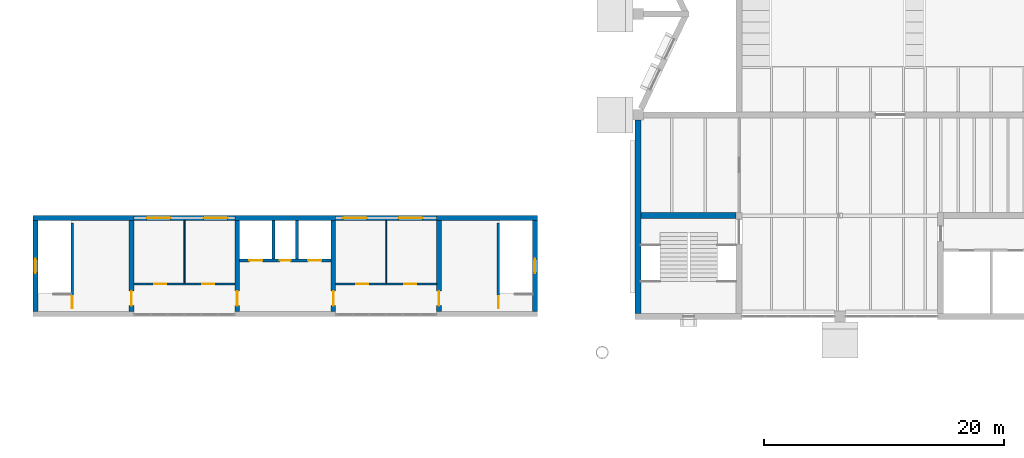
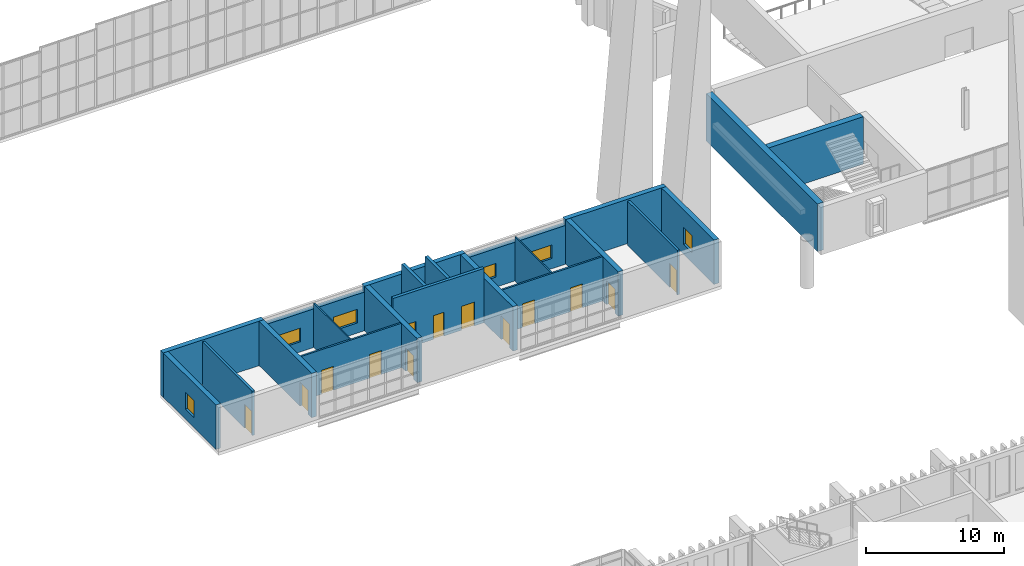
# One storey, part 69 of 100: 22 walls, 13 doors, 6 windows, 19 openings.
"""IFC4 building model written with IfcOpenShell, lengths in metres."""

from ifc_helpers import new_model, si_unit, direction, frame, frame_2d, origin, place, context, subcontext, project, spatial, rectangle, extrude, material, layer, layer_set, type_object, element, fill, save


model = new_model("IFC4")

# Units and contexts
model_context = context("Model", 3, precision=1e-05, world=origin(), true_north=direction((0.0, 1.0)))
body_context = subcontext(model_context, "Body", "Model", "MODEL_VIEW")
ifc_project = project(units=[si_unit("LENGTHUNIT", "METRE"), si_unit("AREAUNIT", "SQUARE_METRE"), si_unit("VOLUMEUNIT", "CUBIC_METRE"), si_unit("PLANEANGLEUNIT", "RADIAN"), si_unit("MASSUNIT", "GRAM", prefix="KILO")], contexts=[model_context])

# Site, building, storey
site_placement = place(None, origin())
site = spatial("IfcSite", under=ifc_project, at=site_placement, CompositionType="ELEMENT")
building_placement = place(site_placement, origin())
building = spatial("IfcBuilding", under=site, at=building_placement, Name="Cresset Court Congress Hotel", CompositionType="ELEMENT")
storey_placement = place(building_placement, frame((0.0, 0.0, 10.199951171875)))
storey = spatial("IfcBuildingStorey", under=building, at=storey_placement, Name="L02", CompositionType="ELEMENT", Elevation=10.199951171875)

# Wall, openings, doors
ifc_material_1 = material(Name="Gypsum board on steel studs", Category="steel")
ifc_layer_1 = layer(ifc_material_1, 0.14990234375)
ifc_layer_set_1 = layer_set([ifc_layer_1], Name="Fire partition 150")
wall_type_1 = type_object("IfcWallType", Name="Fire partition 150", PredefinedType="PARTITIONING", material=ifc_layer_set_1)
wall_1_placement = place(storey_placement, frame((16.800048828125, 61.5, 0.0), z_axis=(0.0, 0.0, 1.0), x_axis=(1.0, 0.0, 0.0)))
wall_1 = element("IfcWall", 1, at=wall_1_placement, inside=storey, type_object=wall_type_1, Name="Corridor wall W", PredefinedType="PARTITIONING", context=body_context, shape_type="SweptSolid", body=[
    extrude(rectangle(XDim=8.39990234375, YDim=0.14990234375, at=frame_2d((4.199951171875, 0.0))), origin(), (0.0, 0.0, 1.0), 3.920166015625),
])
opening_1_placement = place(wall_1_placement, frame((1.699951171875, 0.0, 0.0)))
opening_1 = element("IfcOpeningElement", 2, at=opening_1_placement, cuts=wall_1, Name="Opening DD-02-10", PredefinedType="OPENING", context=body_context, shape_type="SweptSolid", body=[
    extrude(rectangle(XDim=1.0, YDim=2.10009765625, at=frame_2d((0.5, 1.050048828125))), frame((0.0, 0.0849609375, 0.0), z_axis=(0.0, -1.0, 0.0), x_axis=(1.0, 0.0, 0.0)), (0.0, 0.0, 1.0), 0.169921875),
])
opening_2_placement = place(wall_1_placement, frame((5.699951171875, 0.0, 0.0)))
opening_2 = element("IfcOpeningElement", 3, at=opening_2_placement, cuts=wall_1, Name="Opening DD-02-11", PredefinedType="OPENING", context=body_context, shape_type="SweptSolid", body=[
    extrude(rectangle(XDim=1.0, YDim=2.10009765625, at=frame_2d((0.5, 1.050048828125))), frame((0.0, 0.0849609375, 0.0), z_axis=(0.0, -1.0, 0.0), x_axis=(1.0, 0.0, 0.0)), (0.0, 0.0, 1.0), 0.169921875),
])
ifc_material_2 = material(Name="Timber door leaf", Category="wood")
door_type_1 = type_object("IfcDoorType", Name="Room door 1000x2100", OperationType="SINGLE_SWING_LEFT", PredefinedType="DOOR", material=ifc_material_2)
door_1_placement = place(opening_1_placement, origin())
door_1 = element("IfcDoor", 4, at=door_1_placement, inside=storey, type_object=door_type_1, Name="Room door DD-02-10", OperationType="SINGLE_SWING_LEFT", OverallHeight=2.10009765625, OverallWidth=1.0, PredefinedType="DOOR", context=body_context, shape_type="SweptSolid", body=[
    extrude(rectangle(XDim=1.0, YDim=2.10009765625, at=frame_2d((0.5, 1.050048828125))), frame((0.0, 0.02490234375, 0.0), z_axis=(0.0, -1.0, 0.0), x_axis=(1.0, 0.0, 0.0)), (0.0, 0.0, 1.0), 0.050048828125),
])
fill(opening_1, door_1)
door_2_placement = place(opening_2_placement, origin())
door_2 = element("IfcDoor", 5, at=door_2_placement, inside=storey, type_object=door_type_1, Name="Room door DD-02-11", OperationType="SINGLE_SWING_LEFT", OverallHeight=2.10009765625, OverallWidth=1.0, PredefinedType="DOOR", context=body_context, shape_type="SweptSolid", body=[
    extrude(rectangle(XDim=1.0, YDim=2.10009765625, at=frame_2d((0.5, 1.050048828125))), frame((0.0, 0.02490234375, 0.0), z_axis=(0.0, -1.0, 0.0), x_axis=(1.0, 0.0, 0.0)), (0.0, 0.0, 1.0), 0.050048828125),
])
fill(opening_2, door_2)

wall_2_placement = place(storey_placement, frame((33.60009765625, 61.5, 0.0), z_axis=(0.0, 0.0, 1.0), x_axis=(1.0, 0.0, 0.0)))
wall_2 = element("IfcWall", 6, at=wall_2_placement, inside=storey, type_object=wall_type_1, Name="Corridor wall E", PredefinedType="PARTITIONING", context=body_context, shape_type="SweptSolid", body=[
    extrude(rectangle(XDim=8.39990234375, YDim=0.14990234375, at=frame_2d((4.199951171875, 0.0))), origin(), (0.0, 0.0, 1.0), 3.920166015625),
])
opening_3_placement = place(wall_2_placement, frame((1.699951171875, 0.0, 0.0)))
opening_3 = element("IfcOpeningElement", 7, at=opening_3_placement, cuts=wall_2, Name="Opening DD-02-12", PredefinedType="OPENING", context=body_context, shape_type="SweptSolid", body=[
    extrude(rectangle(XDim=1.0, YDim=2.10009765625, at=frame_2d((0.5, 1.050048828125))), frame((0.0, 0.0849609375, 0.0), z_axis=(0.0, -1.0, 0.0), x_axis=(1.0, 0.0, 0.0)), (0.0, 0.0, 1.0), 0.169921875),
])
opening_4_placement = place(wall_2_placement, frame((5.699951171875, 0.0, 0.0)))
opening_4 = element("IfcOpeningElement", 8, at=opening_4_placement, cuts=wall_2, Name="Opening DD-02-13", PredefinedType="OPENING", context=body_context, shape_type="SweptSolid", body=[
    extrude(rectangle(XDim=1.0, YDim=2.10009765625, at=frame_2d((0.5, 1.050048828125))), frame((0.0, 0.0849609375, 0.0), z_axis=(0.0, -1.0, 0.0), x_axis=(1.0, 0.0, 0.0)), (0.0, 0.0, 1.0), 0.169921875),
])
door_3_placement = place(opening_3_placement, origin())
door_3 = element("IfcDoor", 9, at=door_3_placement, inside=storey, type_object=door_type_1, Name="Room door DD-02-12", OperationType="SINGLE_SWING_LEFT", OverallHeight=2.10009765625, OverallWidth=1.0, PredefinedType="DOOR", context=body_context, shape_type="SweptSolid", body=[
    extrude(rectangle(XDim=1.0, YDim=2.10009765625, at=frame_2d((0.5, 1.050048828125))), frame((0.0, 0.02490234375, 0.0), z_axis=(0.0, -1.0, 0.0), x_axis=(1.0, 0.0, 0.0)), (0.0, 0.0, 1.0), 0.050048828125),
])
fill(opening_3, door_3)
door_4_placement = place(opening_4_placement, origin())
door_4 = element("IfcDoor", 10, at=door_4_placement, inside=storey, type_object=door_type_1, Name="Room door DD-02-13", OperationType="SINGLE_SWING_LEFT", OverallHeight=2.10009765625, OverallWidth=1.0, PredefinedType="DOOR", context=body_context, shape_type="SweptSolid", body=[
    extrude(rectangle(XDim=1.0, YDim=2.10009765625, at=frame_2d((0.5, 1.050048828125))), frame((0.0, 0.02490234375, 0.0), z_axis=(0.0, -1.0, 0.0), x_axis=(1.0, 0.0, 0.0)), (0.0, 0.0, 1.0), 0.050048828125),
])
fill(opening_4, door_4)

# Walls
ifc_material_3 = material(Name="Concrete C50", Category="concrete")
ifc_layer_2 = layer(ifc_material_3, 0.5)
ifc_layer_set_2 = layer_set([ifc_layer_2], Name="Hall inner wall 500")
wall_type_2 = type_object("IfcWallType", Name="Hall inner wall 500", PredefinedType="SOLIDWALL", material=ifc_layer_set_2)
wall_3_placement = place(storey_placement, frame((59.050048828125, 67.199951171875, 0.0), z_axis=(0.0, 0.0, 1.0), x_axis=(1.0, 0.0, 0.0)))
element("IfcWall", 11, at=wall_3_placement, inside=storey, type_object=wall_type_2, Name="Wall CC-C1NL02", PredefinedType="SOLIDWALL", context=body_context, shape_type="SweptSolid", body=[
    extrude(rectangle(XDim=7.89990234375, YDim=0.5, at=frame_2d((3.949951171875, 0.0))), origin(), (0.0, 0.0, 1.0), 4.199951171875),
])
ifc_material_4 = material(Name="Limestone-faced precast concrete C50", Category="masonry")
ifc_layer_3 = layer(ifc_material_4, 0.5)
ifc_layer_set_3 = layer_set([ifc_layer_3], Name="Hall perimeter wall 500")
wall_type_3 = type_object("IfcWallType", Name="Hall perimeter wall 500", PredefinedType="SOLIDWALL", material=ifc_layer_set_3)
wall_4_placement = place(storey_placement, frame((58.800048828125, 59.050048828125, 0.0), z_axis=(0.0, 0.0, 1.0), x_axis=(0.0, 1.0, 0.0)))
element("IfcWall", 12, at=wall_4_placement, inside=storey, type_object=wall_type_3, Name="Wall CW-WL02-5", PredefinedType="SOLIDWALL", context=body_context, shape_type="SweptSolid", body=[
    extrude(rectangle(XDim=16.099853515625, YDim=0.5, at=frame_2d((8.0498046875, 0.0))), origin(), (0.0, 0.0, 1.0), 4.199951171875),
])
ifc_material_5 = material(Name="Gypsum board on steel studs", Category="steel")
ifc_layer_4 = layer(ifc_material_5, 0.10009765625)
ifc_layer_set_4 = layer_set([ifc_layer_4], Name="Partition 100")
wall_type_4 = type_object("IfcWallType", Name="Partition 100", PredefinedType="PARTITIONING", material=ifc_layer_set_4)
for number, where, z_axis, x_axis, name in (
    (13, (21.0, 61.574951171875, 0.0), (0.0, 0.0, 1.0), (0.0, 1.0, 0.0), "Meeting room partition W"),
    (14, (37.800048828125, 61.574951171875, 0.0), (0.0, 0.0, 1.0), (0.0, 1.0, 0.0), "Meeting room partition E"),
):
    element("IfcWall", number, at=place(storey_placement, frame(where, z_axis=z_axis, x_axis=x_axis)), inside=storey, type_object=wall_type_4, Name=name, PredefinedType="PARTITIONING", context=body_context, shape_type="SweptSolid", body=[
        extrude(rectangle(XDim=5.22509765625, YDim=0.10009765625, at=frame_2d((2.612548828125, 0.0))), origin(), (0.0, 0.0, 1.0), 3.920166015625),
    ])
ifc_material_6 = material(Name="Concrete C50", Category="concrete")
ifc_layer_5 = layer(ifc_material_6, 0.39990234375)
ifc_layer_set_5 = layer_set([ifc_layer_5], Name="RC core wall 400 C50")
wall_type_5 = type_object("IfcWallType", Name="RC core wall 400 C50", PredefinedType="SOLIDWALL", material=ifc_layer_set_5)
wall_5_placement = place(storey_placement, frame((8.39990234375, 67.0, 0.0), z_axis=(0.0, 0.0, 1.0), x_axis=(1.0, 0.0, 0.0)))
element("IfcWall", 15, at=wall_5_placement, inside=storey, type_object=wall_type_5, Name="ST-D1 north wall", PredefinedType="SOLIDWALL", context=body_context, shape_type="SweptSolid", body=[
    extrude(rectangle(XDim=8.400146484375, YDim=0.39990234375, at=frame_2d((4.2001953125, 0.0))), origin(), (0.0, 0.0, 1.0), 3.920166015625),
])

# Wall, opening, window
wall_6_placement = place(storey_placement, frame((8.60009765625, 59.199951171875, 0.0), z_axis=(0.0, 0.0, 1.0), x_axis=(0.0, 1.0, 0.0)))
wall_6 = element("IfcWall", 16, at=wall_6_placement, inside=storey, type_object=wall_type_5, Name="ST-D1 west wall", PredefinedType="SOLIDWALL", context=body_context, shape_type="SweptSolid", body=[
    extrude(rectangle(XDim=7.60009765625, YDim=0.39990234375, at=frame_2d((3.800048828125, 0.0))), origin(), (0.0, 0.0, 1.0), 3.920166015625),
])
opening_5_placement = place(wall_6_placement, frame((3.199951171875, 0.0, 0.89990234375)))
opening_5 = element("IfcOpeningElement", 17, at=opening_5_placement, cuts=wall_6, Name="Opening ND-02-01", PredefinedType="OPENING", context=body_context, shape_type="SweptSolid", body=[
    extrude(rectangle(XDim=1.199951171875, YDim=1.5, at=frame_2d((0.60009765625, 0.75))), frame((0.0, 0.2099609375, 0.0), z_axis=(0.0, -1.0, 0.0), x_axis=(1.0, 0.0, 0.0)), (0.0, 0.0, 1.0), 0.419921875),
])
ifc_material_7 = material(Name="Aluminium frame with insulated glass", Category="aluminium")
window_type_1 = type_object("IfcWindowType", Name="Window 1200x1500", PartitioningType="SINGLE_PANEL", PredefinedType="WINDOW", material=ifc_material_7)
window_1_placement = place(opening_5_placement, origin())
window_1 = element("IfcWindow", 18, at=window_1_placement, inside=storey, type_object=window_type_1, Name="Window ND-02-01", OverallHeight=1.5, OverallWidth=1.199951171875, PartitioningType="SINGLE_PANEL", PredefinedType="WINDOW", context=body_context, shape_type="SweptSolid", body=[
    extrude(rectangle(XDim=1.199951171875, YDim=1.5, at=frame_2d((0.60009765625, 0.75))), frame((0.0, 0.030029296875, 0.0), z_axis=(0.0, -1.0, 0.0), x_axis=(1.0, 0.0, 0.0)), (0.0, 0.0, 1.0), 0.06005859375),
])
fill(opening_5, window_1)

# Wall, opening, door
wall_7_placement = place(storey_placement, frame((16.60009765625, 59.199951171875, 0.0), z_axis=(0.0, 0.0, 1.0), x_axis=(0.0, 1.0, 0.0)))
wall_7 = element("IfcWall", 19, at=wall_7_placement, inside=storey, type_object=wall_type_5, Name="ST-D1 east wall", PredefinedType="SOLIDWALL", context=body_context, shape_type="SweptSolid", body=[
    extrude(rectangle(XDim=7.60009765625, YDim=0.39990234375, at=frame_2d((3.800048828125, 0.0))), origin(), (0.0, 0.0, 1.0), 3.920166015625),
])
opening_6_placement = place(wall_7_placement, frame((0.5, 0.0, 0.0)))
opening_6 = element("IfcOpeningElement", 20, at=opening_6_placement, cuts=wall_7, Name="Opening DD-02-01", PredefinedType="OPENING", context=body_context, shape_type="SweptSolid", body=[
    extrude(rectangle(XDim=1.199951171875, YDim=2.10009765625, at=frame_2d((0.60009765625, 1.050048828125))), frame((0.0, 0.2099609375, 0.0), z_axis=(0.0, -1.0, 0.0), x_axis=(1.0, 0.0, 0.0)), (0.0, 0.0, 1.0), 0.419921875),
])
ifc_material_8 = material(Name="Timber door leaf", Category="wood")
door_type_2 = type_object("IfcDoorType", Name="Stair lobby door 1200x2100", OperationType="SINGLE_SWING_LEFT", PredefinedType="DOOR", material=ifc_material_8)
door_5_placement = place(opening_6_placement, origin())
door_5 = element("IfcDoor", 21, at=door_5_placement, inside=storey, type_object=door_type_2, Name="Stair lobby door DD-02-01", OperationType="SINGLE_SWING_LEFT", OverallHeight=2.10009765625, OverallWidth=1.199951171875, PredefinedType="DOOR", context=body_context, shape_type="SweptSolid", body=[
    extrude(rectangle(XDim=1.199951171875, YDim=2.10009765625, at=frame_2d((0.60009765625, 1.050048828125))), frame((0.0, 0.02490234375, 0.0), z_axis=(0.0, -1.0, 0.0), x_axis=(1.0, 0.0, 0.0)), (0.0, 0.0, 1.0), 0.050048828125),
])
fill(opening_6, door_5)

# Wall
wall_8_placement = place(storey_placement, frame((25.199951171875, 67.0, 0.0), z_axis=(0.0, 0.0, 1.0), x_axis=(1.0, 0.0, 0.0)))
element("IfcWall", 22, at=wall_8_placement, inside=storey, type_object=wall_type_5, Name="LC-D1 north wall", PredefinedType="SOLIDWALL", context=body_context, shape_type="SweptSolid", body=[
    extrude(rectangle(XDim=8.400146484375, YDim=0.39990234375, at=frame_2d((4.2001953125, 0.0))), origin(), (0.0, 0.0, 1.0), 3.920166015625),
])

# Wall, opening, door
wall_9_placement = place(storey_placement, frame((25.39990234375, 59.199951171875, 0.0), z_axis=(0.0, 0.0, 1.0), x_axis=(0.0, 1.0, 0.0)))
wall_9 = element("IfcWall", 23, at=wall_9_placement, inside=storey, type_object=wall_type_5, Name="LC-D1 west wall", PredefinedType="SOLIDWALL", context=body_context, shape_type="SweptSolid", body=[
    extrude(rectangle(XDim=7.60009765625, YDim=0.39990234375, at=frame_2d((3.800048828125, 0.0))), origin(), (0.0, 0.0, 1.0), 3.920166015625),
])
opening_7_placement = place(wall_9_placement, frame((0.5, 0.0, 0.0)))
opening_7 = element("IfcOpeningElement", 24, at=opening_7_placement, cuts=wall_9, Name="Opening DD-02-05", PredefinedType="OPENING", context=body_context, shape_type="SweptSolid", body=[
    extrude(rectangle(XDim=1.199951171875, YDim=2.10009765625, at=frame_2d((0.60009765625, 1.050048828125))), frame((0.0, 0.2099609375, 0.0), z_axis=(0.0, -1.0, 0.0), x_axis=(1.0, 0.0, 0.0)), (0.0, 0.0, 1.0), 0.419921875),
])
ifc_material_9 = material(Name="Timber door leaf", Category="wood")
door_type_3 = type_object("IfcDoorType", Name="Lift lobby door 1200x2100", OperationType="SINGLE_SWING_LEFT", PredefinedType="DOOR", material=ifc_material_9)
door_6_placement = place(opening_7_placement, origin())
door_6 = element("IfcDoor", 25, at=door_6_placement, inside=storey, type_object=door_type_3, Name="Lift lobby door DD-02-05", OperationType="SINGLE_SWING_LEFT", OverallHeight=2.10009765625, OverallWidth=1.199951171875, PredefinedType="DOOR", context=body_context, shape_type="SweptSolid", body=[
    extrude(rectangle(XDim=1.199951171875, YDim=2.10009765625, at=frame_2d((0.60009765625, 1.050048828125))), frame((0.0, 0.02490234375, 0.0), z_axis=(0.0, -1.0, 0.0), x_axis=(1.0, 0.0, 0.0)), (0.0, 0.0, 1.0), 0.050048828125),
])
fill(opening_7, door_6)

wall_10_placement = place(storey_placement, frame((33.39990234375, 59.199951171875, 0.0), z_axis=(0.0, 0.0, 1.0), x_axis=(0.0, 1.0, 0.0)))
wall_10 = element("IfcWall", 26, at=wall_10_placement, inside=storey, type_object=wall_type_5, Name="LC-D1 east wall", PredefinedType="SOLIDWALL", context=body_context, shape_type="SweptSolid", body=[
    extrude(rectangle(XDim=7.60009765625, YDim=0.39990234375, at=frame_2d((3.800048828125, 0.0))), origin(), (0.0, 0.0, 1.0), 3.920166015625),
])
opening_8_placement = place(wall_10_placement, frame((0.5, 0.0, 0.0)))
opening_8 = element("IfcOpeningElement", 27, at=opening_8_placement, cuts=wall_10, Name="Opening DD-02-06", PredefinedType="OPENING", context=body_context, shape_type="SweptSolid", body=[
    extrude(rectangle(XDim=1.199951171875, YDim=2.10009765625, at=frame_2d((0.60009765625, 1.050048828125))), frame((0.0, 0.2099609375, 0.0), z_axis=(0.0, -1.0, 0.0), x_axis=(1.0, 0.0, 0.0)), (0.0, 0.0, 1.0), 0.419921875),
])
door_7_placement = place(opening_8_placement, origin())
door_7 = element("IfcDoor", 28, at=door_7_placement, inside=storey, type_object=door_type_3, Name="Lift lobby door DD-02-06", OperationType="SINGLE_SWING_LEFT", OverallHeight=2.10009765625, OverallWidth=1.199951171875, PredefinedType="DOOR", context=body_context, shape_type="SweptSolid", body=[
    extrude(rectangle(XDim=1.199951171875, YDim=2.10009765625, at=frame_2d((0.60009765625, 1.050048828125))), frame((0.0, 0.02490234375, 0.0), z_axis=(0.0, -1.0, 0.0), x_axis=(1.0, 0.0, 0.0)), (0.0, 0.0, 1.0), 0.050048828125),
])
fill(opening_8, door_7)

# Wall
wall_11_placement = place(storey_placement, frame((42.0, 67.0, 0.0), z_axis=(0.0, 0.0, 1.0), x_axis=(1.0, 0.0, 0.0)))
element("IfcWall", 29, at=wall_11_placement, inside=storey, type_object=wall_type_5, Name="ST-D2 north wall", PredefinedType="SOLIDWALL", context=body_context, shape_type="SweptSolid", body=[
    extrude(rectangle(XDim=8.39990234375, YDim=0.39990234375, at=frame_2d((4.199951171875, 0.0))), origin(), (0.0, 0.0, 1.0), 3.920166015625),
])

# Wall, opening, door
wall_12_placement = place(storey_placement, frame((42.199951171875, 59.199951171875, 0.0), z_axis=(0.0, 0.0, 1.0), x_axis=(0.0, 1.0, 0.0)))
wall_12 = element("IfcWall", 30, at=wall_12_placement, inside=storey, type_object=wall_type_5, Name="ST-D2 west wall", PredefinedType="SOLIDWALL", context=body_context, shape_type="SweptSolid", body=[
    extrude(rectangle(XDim=7.60009765625, YDim=0.39990234375, at=frame_2d((3.800048828125, 0.0))), origin(), (0.0, 0.0, 1.0), 3.920166015625),
])
opening_9_placement = place(wall_12_placement, frame((0.5, 0.0, 0.0)))
opening_9 = element("IfcOpeningElement", 31, at=opening_9_placement, cuts=wall_12, Name="Opening DD-02-03", PredefinedType="OPENING", context=body_context, shape_type="SweptSolid", body=[
    extrude(rectangle(XDim=1.199951171875, YDim=2.10009765625, at=frame_2d((0.60009765625, 1.050048828125))), frame((0.0, 0.2099609375, 0.0), z_axis=(0.0, -1.0, 0.0), x_axis=(1.0, 0.0, 0.0)), (0.0, 0.0, 1.0), 0.419921875),
])
door_8_placement = place(opening_9_placement, origin())
door_8 = element("IfcDoor", 32, at=door_8_placement, inside=storey, type_object=door_type_2, Name="Stair lobby door DD-02-03", OperationType="SINGLE_SWING_LEFT", OverallHeight=2.10009765625, OverallWidth=1.199951171875, PredefinedType="DOOR", context=body_context, shape_type="SweptSolid", body=[
    extrude(rectangle(XDim=1.199951171875, YDim=2.10009765625, at=frame_2d((0.60009765625, 1.050048828125))), frame((0.0, 0.02490234375, 0.0), z_axis=(0.0, -1.0, 0.0), x_axis=(1.0, 0.0, 0.0)), (0.0, 0.0, 1.0), 0.050048828125),
])
fill(opening_9, door_8)

# Wall, opening, window
wall_13_placement = place(storey_placement, frame((50.199951171875, 59.199951171875, 0.0), z_axis=(0.0, 0.0, 1.0), x_axis=(0.0, 1.0, 0.0)))
wall_13 = element("IfcWall", 33, at=wall_13_placement, inside=storey, type_object=wall_type_5, Name="ST-D2 east wall", PredefinedType="SOLIDWALL", context=body_context, shape_type="SweptSolid", body=[
    extrude(rectangle(XDim=7.60009765625, YDim=0.39990234375, at=frame_2d((3.800048828125, 0.0))), origin(), (0.0, 0.0, 1.0), 3.920166015625),
])
opening_10_placement = place(wall_13_placement, frame((3.199951171875, 0.0, 0.89990234375)))
opening_10 = element("IfcOpeningElement", 34, at=opening_10_placement, cuts=wall_13, Name="Opening ND-02-02", PredefinedType="OPENING", context=body_context, shape_type="SweptSolid", body=[
    extrude(rectangle(XDim=1.199951171875, YDim=1.5, at=frame_2d((0.60009765625, 0.75))), frame((0.0, 0.2099609375, 0.0), z_axis=(0.0, -1.0, 0.0), x_axis=(1.0, 0.0, 0.0)), (0.0, 0.0, 1.0), 0.419921875),
])
window_2_placement = place(opening_10_placement, origin())
window_2 = element("IfcWindow", 35, at=window_2_placement, inside=storey, type_object=window_type_1, Name="Window ND-02-02", OverallHeight=1.5, OverallWidth=1.199951171875, PartitioningType="SINGLE_PANEL", PredefinedType="WINDOW", context=body_context, shape_type="SweptSolid", body=[
    extrude(rectangle(XDim=1.199951171875, YDim=1.5, at=frame_2d((0.60009765625, 0.75))), frame((0.0, 0.030029296875, 0.0), z_axis=(0.0, -1.0, 0.0), x_axis=(1.0, 0.0, 0.0)), (0.0, 0.0, 1.0), 0.06005859375),
])
fill(opening_10, window_2)

# Wall, openings, windows
ifc_material_10 = material(Name="Concrete C40", Category="concrete")
ifc_layer_6 = layer(ifc_material_10, 0.39990234375)
ifc_layer_set_6 = layer_set([ifc_layer_6], Name="RC hall wall 400 C40 external")
wall_type_6 = type_object("IfcWallType", Name="RC hall wall 400 C40 external", PredefinedType="SOLIDWALL", material=ifc_layer_set_6)
wall_14_placement = place(storey_placement, frame((16.800048828125, 67.0, 0.0), z_axis=(0.0, 0.0, 1.0), x_axis=(1.0, 0.0, 0.0)))
wall_14 = element("IfcWall", 36, at=wall_14_placement, inside=storey, type_object=wall_type_6, Name="Hall south wall L02 W", PredefinedType="SOLIDWALL", context=body_context, shape_type="SweptSolid", body=[
    extrude(rectangle(XDim=8.39990234375, YDim=0.39990234375, at=frame_2d((4.199951171875, 0.0))), origin(), (0.0, 0.0, 1.0), 3.420166015625),
])
opening_11_placement = place(wall_14_placement, frame((1.050048828125, 0.0, 0.89990234375)))
opening_11 = element("IfcOpeningElement", 37, at=opening_11_placement, cuts=wall_14, Name="Opening ND-02-03", PredefinedType="OPENING", context=body_context, shape_type="SweptSolid", body=[
    extrude(rectangle(XDim=2.0, YDim=1.199951171875, at=frame_2d((1.0, 0.60009765625))), frame((0.0, 0.2099609375, 0.0), z_axis=(0.0, -1.0, 0.0), x_axis=(1.0, 0.0, 0.0)), (0.0, 0.0, 1.0), 0.419921875),
])
opening_12_placement = place(wall_14_placement, frame((5.800048828125, 0.0, 0.89990234375)))
opening_12 = element("IfcOpeningElement", 38, at=opening_12_placement, cuts=wall_14, Name="Opening ND-02-04", PredefinedType="OPENING", context=body_context, shape_type="SweptSolid", body=[
    extrude(rectangle(XDim=2.0, YDim=1.199951171875, at=frame_2d((1.0, 0.60009765625))), frame((0.0, 0.2099609375, 0.0), z_axis=(0.0, -1.0, 0.0), x_axis=(1.0, 0.0, 0.0)), (0.0, 0.0, 1.0), 0.419921875),
])
ifc_material_11 = material(Name="Aluminium frame with insulated glass", Category="aluminium")
window_type_2 = type_object("IfcWindowType", Name="Window 2000x1200", PartitioningType="SINGLE_PANEL", PredefinedType="WINDOW", material=ifc_material_11)
window_3_placement = place(opening_11_placement, origin())
window_3 = element("IfcWindow", 39, at=window_3_placement, inside=storey, type_object=window_type_2, Name="Window ND-02-03", OverallHeight=1.199951171875, OverallWidth=2.0, PartitioningType="SINGLE_PANEL", PredefinedType="WINDOW", context=body_context, shape_type="SweptSolid", body=[
    extrude(rectangle(XDim=2.0, YDim=1.199951171875, at=frame_2d((1.0, 0.60009765625))), frame((0.0, 0.030029296875, 0.0), z_axis=(0.0, -1.0, 0.0), x_axis=(1.0, 0.0, 0.0)), (0.0, 0.0, 1.0), 0.06005859375),
])
fill(opening_11, window_3)
window_4_placement = place(opening_12_placement, origin())
window_4 = element("IfcWindow", 40, at=window_4_placement, inside=storey, type_object=window_type_2, Name="Window ND-02-04", OverallHeight=1.199951171875, OverallWidth=2.0, PartitioningType="SINGLE_PANEL", PredefinedType="WINDOW", context=body_context, shape_type="SweptSolid", body=[
    extrude(rectangle(XDim=2.0, YDim=1.199951171875, at=frame_2d((1.0, 0.60009765625))), frame((0.0, 0.030029296875, 0.0), z_axis=(0.0, -1.0, 0.0), x_axis=(1.0, 0.0, 0.0)), (0.0, 0.0, 1.0), 0.06005859375),
])
fill(opening_12, window_4)

wall_15_placement = place(storey_placement, frame((33.60009765625, 67.0, 0.0), z_axis=(0.0, 0.0, 1.0), x_axis=(1.0, 0.0, 0.0)))
wall_15 = element("IfcWall", 41, at=wall_15_placement, inside=storey, type_object=wall_type_6, Name="Hall south wall L02 E", PredefinedType="SOLIDWALL", context=body_context, shape_type="SweptSolid", body=[
    extrude(rectangle(XDim=8.39990234375, YDim=0.39990234375, at=frame_2d((4.199951171875, 0.0))), origin(), (0.0, 0.0, 1.0), 3.420166015625),
])
opening_13_placement = place(wall_15_placement, frame((0.60009765625, 0.0, 0.89990234375)))
opening_13 = element("IfcOpeningElement", 42, at=opening_13_placement, cuts=wall_15, Name="Opening ND-02-05", PredefinedType="OPENING", context=body_context, shape_type="SweptSolid", body=[
    extrude(rectangle(XDim=2.0, YDim=1.199951171875, at=frame_2d((1.0, 0.60009765625))), frame((0.0, 0.2099609375, 0.0), z_axis=(0.0, -1.0, 0.0), x_axis=(1.0, 0.0, 0.0)), (0.0, 0.0, 1.0), 0.419921875),
])
opening_14_placement = place(wall_15_placement, frame((5.25, 0.0, 0.89990234375)))
opening_14 = element("IfcOpeningElement", 43, at=opening_14_placement, cuts=wall_15, Name="Opening ND-02-06", PredefinedType="OPENING", context=body_context, shape_type="SweptSolid", body=[
    extrude(rectangle(XDim=2.0, YDim=1.199951171875, at=frame_2d((1.0, 0.60009765625))), frame((0.0, 0.2099609375, 0.0), z_axis=(0.0, -1.0, 0.0), x_axis=(1.0, 0.0, 0.0)), (0.0, 0.0, 1.0), 0.419921875),
])
window_5_placement = place(opening_13_placement, origin())
window_5 = element("IfcWindow", 44, at=window_5_placement, inside=storey, type_object=window_type_2, Name="Window ND-02-05", OverallHeight=1.199951171875, OverallWidth=2.0, PartitioningType="SINGLE_PANEL", PredefinedType="WINDOW", context=body_context, shape_type="SweptSolid", body=[
    extrude(rectangle(XDim=2.0, YDim=1.199951171875, at=frame_2d((1.0, 0.60009765625))), frame((0.0, 0.030029296875, 0.0), z_axis=(0.0, -1.0, 0.0), x_axis=(1.0, 0.0, 0.0)), (0.0, 0.0, 1.0), 0.06005859375),
])
fill(opening_13, window_5)
window_6_placement = place(opening_14_placement, origin())
window_6 = element("IfcWindow", 45, at=window_6_placement, inside=storey, type_object=window_type_2, Name="Window ND-02-06", OverallHeight=1.199951171875, OverallWidth=2.0, PartitioningType="SINGLE_PANEL", PredefinedType="WINDOW", context=body_context, shape_type="SweptSolid", body=[
    extrude(rectangle(XDim=2.0, YDim=1.199951171875, at=frame_2d((1.0, 0.60009765625))), frame((0.0, 0.030029296875, 0.0), z_axis=(0.0, -1.0, 0.0), x_axis=(1.0, 0.0, 0.0)), (0.0, 0.0, 1.0), 0.06005859375),
])
fill(opening_14, window_6)

# Wall, openings, doors
ifc_material_12 = material(Name="Concrete C50", Category="concrete")
ifc_layer_7 = layer(ifc_material_12, 0.25)
ifc_layer_set_7 = layer_set([ifc_layer_7], Name="RC lift shaft wall 250 C50")
wall_type_7 = type_object("IfcWallType", Name="RC lift shaft wall 250 C50", PredefinedType="SOLIDWALL", material=ifc_layer_set_7)
wall_16_placement = place(storey_placement, frame((25.60009765625, 63.47509765625, 0.0), z_axis=(0.0, 0.0, 1.0), x_axis=(1.0, 0.0, 0.0)))
wall_16 = element("IfcWall", 46, at=wall_16_placement, inside=storey, type_object=wall_type_7, Name="Lift shaft front wall", PredefinedType="SOLIDWALL", context=body_context, shape_type="SweptSolid", body=[
    extrude(rectangle(XDim=7.599853515625, YDim=0.25, at=frame_2d((3.7998046875, 0.0))), origin(), (0.0, 0.0, 1.0), 4.800048828125),
])
opening_15_placement = place(wall_16_placement, frame((0.800048828125, 0.0, 0.0)))
opening_15 = element("IfcOpeningElement", 47, at=opening_15_placement, cuts=wall_16, Name="Opening DD-02-07", PredefinedType="OPENING", context=body_context, shape_type="SweptSolid", body=[
    extrude(rectangle(XDim=1.10009765625, YDim=2.10009765625, at=frame_2d((0.550048828125, 1.050048828125))), frame((0.0, 0.135009765625, 0.0), z_axis=(0.0, -1.0, 0.0), x_axis=(1.0, 0.0, 0.0)), (0.0, 0.0, 1.0), 0.27001953125),
])
opening_16_placement = place(wall_16_placement, frame((5.699951171875, 0.0, 0.0)))
opening_16 = element("IfcOpeningElement", 48, at=opening_16_placement, cuts=wall_16, Name="Opening DD-02-08", PredefinedType="OPENING", context=body_context, shape_type="SweptSolid", body=[
    extrude(rectangle(XDim=1.10009765625, YDim=2.10009765625, at=frame_2d((0.550048828125, 1.050048828125))), frame((0.0, 0.135009765625, 0.0), z_axis=(0.0, -1.0, 0.0), x_axis=(1.0, 0.0, 0.0)), (0.0, 0.0, 1.0), 0.27001953125),
])
opening_17_placement = place(wall_16_placement, frame((3.35009765625, 0.0, 0.0)))
opening_17 = element("IfcOpeningElement", 49, at=opening_17_placement, cuts=wall_16, Name="Opening DD-02-09", PredefinedType="OPENING", context=body_context, shape_type="SweptSolid", body=[
    extrude(rectangle(XDim=0.89990234375, YDim=2.10009765625, at=frame_2d((0.449951171875, 1.050048828125))), frame((0.0, 0.135009765625, 0.0), z_axis=(0.0, -1.0, 0.0), x_axis=(1.0, 0.0, 0.0)), (0.0, 0.0, 1.0), 0.27001953125),
])
ifc_material_13 = material(Name="Stainless steel", Category="steel")
door_type_4 = type_object("IfcDoorType", Name="Lift landing door 1100x2100", OperationType="DOUBLE_DOOR_SLIDING", PredefinedType="DOOR", material=ifc_material_13)
door_9_placement = place(opening_15_placement, origin())
door_9 = element("IfcDoor", 50, at=door_9_placement, inside=storey, type_object=door_type_4, Name="Lift landing door DD-02-07", OperationType="DOUBLE_DOOR_SLIDING", OverallHeight=2.10009765625, OverallWidth=1.10009765625, PredefinedType="DOOR", context=body_context, shape_type="SweptSolid", body=[
    extrude(rectangle(XDim=1.10009765625, YDim=2.10009765625, at=frame_2d((0.550048828125, 1.050048828125))), frame((0.0, 0.02490234375, 0.0), z_axis=(0.0, -1.0, 0.0), x_axis=(1.0, 0.0, 0.0)), (0.0, 0.0, 1.0), 0.050048828125),
])
fill(opening_15, door_9)
door_10_placement = place(opening_16_placement, origin())
door_10 = element("IfcDoor", 51, at=door_10_placement, inside=storey, type_object=door_type_4, Name="Lift landing door DD-02-08", OperationType="DOUBLE_DOOR_SLIDING", OverallHeight=2.10009765625, OverallWidth=1.10009765625, PredefinedType="DOOR", context=body_context, shape_type="SweptSolid", body=[
    extrude(rectangle(XDim=1.10009765625, YDim=2.10009765625, at=frame_2d((0.550048828125, 1.050048828125))), frame((0.0, 0.02490234375, 0.0), z_axis=(0.0, -1.0, 0.0), x_axis=(1.0, 0.0, 0.0)), (0.0, 0.0, 1.0), 0.050048828125),
])
fill(opening_16, door_10)
ifc_material_14 = material(Name="Timber door leaf", Category="wood")
door_type_5 = type_object("IfcDoorType", Name="Riser door 900x2100", OperationType="SINGLE_SWING_LEFT", PredefinedType="DOOR", material=ifc_material_14)
door_11_placement = place(opening_17_placement, origin())
door_11 = element("IfcDoor", 52, at=door_11_placement, inside=storey, type_object=door_type_5, Name="Riser door DD-02-09", OperationType="SINGLE_SWING_LEFT", OverallHeight=2.10009765625, OverallWidth=0.89990234375, PredefinedType="DOOR", context=body_context, shape_type="SweptSolid", body=[
    extrude(rectangle(XDim=0.89990234375, YDim=2.10009765625, at=frame_2d((0.449951171875, 1.050048828125))), frame((0.0, 0.02490234375, 0.0), z_axis=(0.0, -1.0, 0.0), x_axis=(1.0, 0.0, 0.0)), (0.0, 0.0, 1.0), 0.050048828125),
])
fill(opening_17, door_11)

# Walls
for number, where, z_axis, x_axis, name in (
    (53, (28.425048828125, 63.60009765625, 0.0), (0.0, 0.0, 1.0), (0.0, 1.0, 0.0), "Lift shaft wall A"),
    (54, (30.375, 63.60009765625, 0.0), (0.0, 0.0, 1.0), (0.0, 1.0, 0.0), "Lift shaft wall B"),
):
    element("IfcWall", number, at=place(storey_placement, frame(where, z_axis=z_axis, x_axis=x_axis)), inside=storey, type_object=wall_type_7, Name=name, PredefinedType="SOLIDWALL", context=body_context, shape_type="SweptSolid", body=[
        extrude(rectangle(XDim=3.199951171875, YDim=0.25, at=frame_2d((1.60009765625, 0.0))), origin(), (0.0, 0.0, 1.0), 4.800048828125),
    ])

# Wall, opening, door
ifc_material_15 = material(Name="Concrete C40", Category="concrete")
ifc_layer_8 = layer(ifc_material_15, 0.199951171875)
ifc_layer_set_8 = layer_set([ifc_layer_8], Name="RC stair enclosure wall 200 C40")
wall_type_8 = type_object("IfcWallType", Name="RC stair enclosure wall 200 C40", PredefinedType="SOLIDWALL", material=ifc_layer_set_8)
wall_17_placement = place(storey_placement, frame((11.64990234375, 59.39990234375, 0.0), z_axis=(0.0, 0.0, 1.0), x_axis=(0.0, 1.0, 0.0)))
wall_17 = element("IfcWall", 55, at=wall_17_placement, inside=storey, type_object=wall_type_8, Name="ST-D1 stair enclosure wall", PredefinedType="SOLIDWALL", context=body_context, shape_type="SweptSolid", body=[
    extrude(rectangle(XDim=7.2001953125, YDim=0.199951171875, at=frame_2d((3.60009765625, 0.0))), origin(), (0.0, 0.0, 1.0), 3.920166015625),
])
opening_18_placement = place(wall_17_placement, frame((0.10009765625, 0.0, 0.0)))
opening_18 = element("IfcOpeningElement", 56, at=opening_18_placement, cuts=wall_17, Name="Opening DD-02-02", PredefinedType="OPENING", context=body_context, shape_type="SweptSolid", body=[
    extrude(rectangle(XDim=1.0, YDim=2.10009765625, at=frame_2d((0.5, 1.050048828125))), frame((0.0, 0.10986328125, 0.0), z_axis=(0.0, -1.0, 0.0), x_axis=(1.0, 0.0, 0.0)), (0.0, 0.0, 1.0), 0.219970703125),
])
ifc_material_16 = material(Name="Timber door leaf", Category="wood")
door_type_6 = type_object("IfcDoorType", Name="Stair door 1000x2100", OperationType="SINGLE_SWING_LEFT", PredefinedType="DOOR", material=ifc_material_16)
door_12_placement = place(opening_18_placement, origin())
door_12 = element("IfcDoor", 57, at=door_12_placement, inside=storey, type_object=door_type_6, Name="Stair door DD-02-02", OperationType="SINGLE_SWING_LEFT", OverallHeight=2.10009765625, OverallWidth=1.0, PredefinedType="DOOR", context=body_context, shape_type="SweptSolid", body=[
    extrude(rectangle(XDim=1.0, YDim=2.10009765625, at=frame_2d((0.5, 1.050048828125))), frame((0.0, 0.02490234375, 0.0), z_axis=(0.0, -1.0, 0.0), x_axis=(1.0, 0.0, 0.0)), (0.0, 0.0, 1.0), 0.050048828125),
])
fill(opening_18, door_12)

wall_18_placement = place(storey_placement, frame((47.14990234375, 59.39990234375, 0.0), z_axis=(0.0, 0.0, 1.0), x_axis=(0.0, 1.0, 0.0)))
wall_18 = element("IfcWall", 58, at=wall_18_placement, inside=storey, type_object=wall_type_8, Name="ST-D2 stair enclosure wall", PredefinedType="SOLIDWALL", context=body_context, shape_type="SweptSolid", body=[
    extrude(rectangle(XDim=7.2001953125, YDim=0.199951171875, at=frame_2d((3.60009765625, 0.0))), origin(), (0.0, 0.0, 1.0), 3.920166015625),
])
opening_19_placement = place(wall_18_placement, frame((0.10009765625, 0.0, 0.0)))
opening_19 = element("IfcOpeningElement", 59, at=opening_19_placement, cuts=wall_18, Name="Opening DD-02-04", PredefinedType="OPENING", context=body_context, shape_type="SweptSolid", body=[
    extrude(rectangle(XDim=1.0, YDim=2.10009765625, at=frame_2d((0.5, 1.050048828125))), frame((0.0, 0.10986328125, 0.0), z_axis=(0.0, -1.0, 0.0), x_axis=(1.0, 0.0, 0.0)), (0.0, 0.0, 1.0), 0.219970703125),
])
door_13_placement = place(opening_19_placement, origin())
door_13 = element("IfcDoor", 60, at=door_13_placement, inside=storey, type_object=door_type_6, Name="Stair door DD-02-04", OperationType="SINGLE_SWING_LEFT", OverallHeight=2.10009765625, OverallWidth=1.0, PredefinedType="DOOR", context=body_context, shape_type="SweptSolid", body=[
    extrude(rectangle(XDim=1.0, YDim=2.10009765625, at=frame_2d((0.5, 1.050048828125))), frame((0.0, 0.02490234375, 0.0), z_axis=(0.0, -1.0, 0.0), x_axis=(1.0, 0.0, 0.0)), (0.0, 0.0, 1.0), 0.050048828125),
])
fill(opening_19, door_13)

save(model, "model.ifc")
